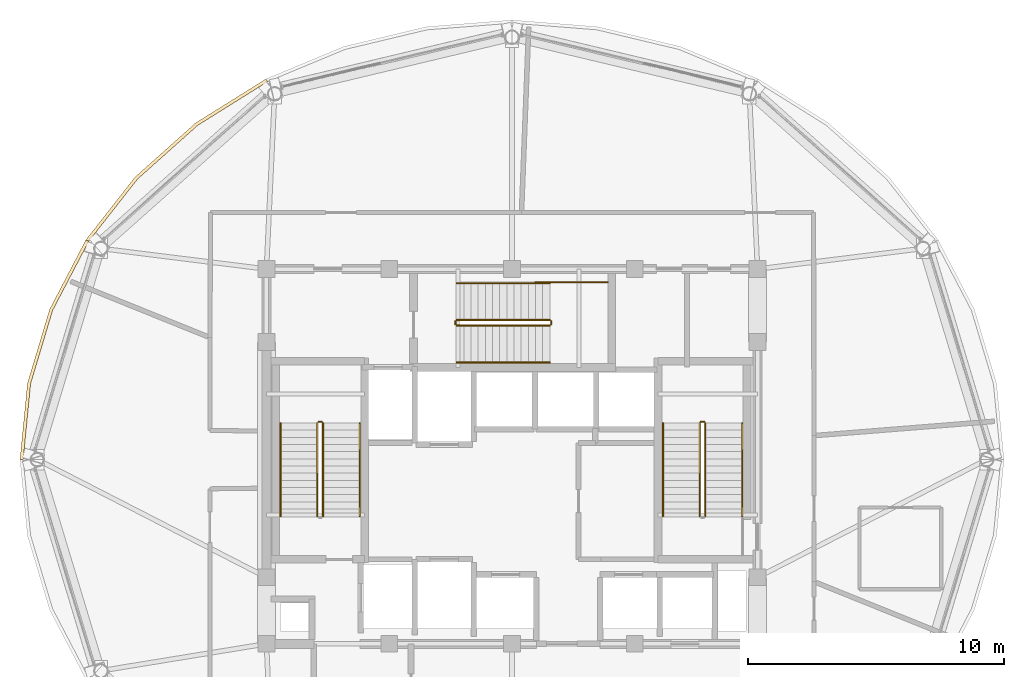
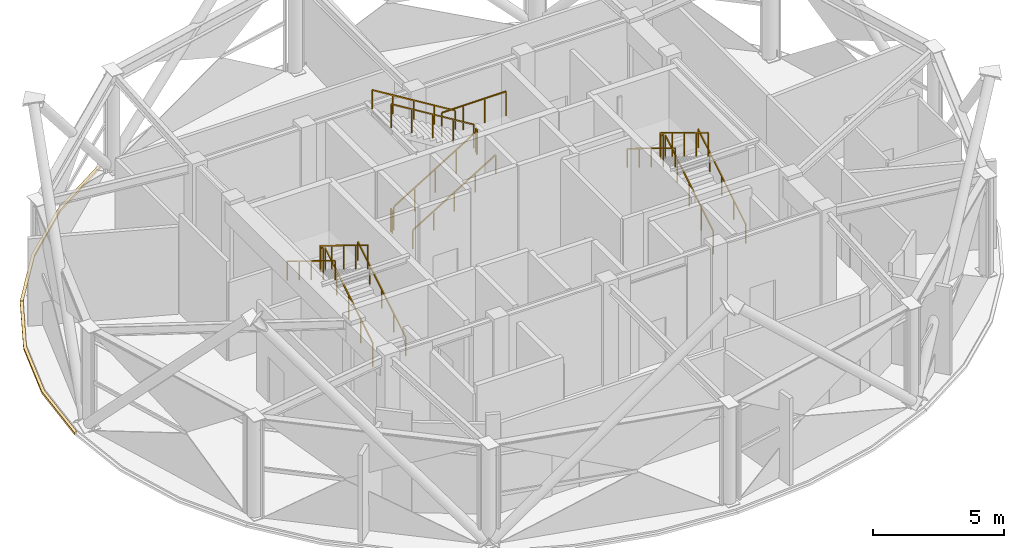
# One storey, part 26 of 27: 17 railings, 2 coverings.
"""IFC4 building model written with IfcOpenShell, lengths in metres."""

from ifc_helpers import new_model, si_unit, direction, frame, origin, origin_2d, place, context, subcontext, project, spatial, polyline, rectangle, outline, extrude, material, layer, layer_set, type_object, element, save


model = new_model("IFC4")

# Units and contexts
model_context = context("Model", 3, precision=1e-05, world=origin(), true_north=direction((0.0, 1.0)))
body_context = subcontext(model_context, "Body", "Model", "MODEL_VIEW")
ifc_project = project(units=[si_unit("LENGTHUNIT", "METRE"), si_unit("AREAUNIT", "SQUARE_METRE"), si_unit("VOLUMEUNIT", "CUBIC_METRE"), si_unit("PLANEANGLEUNIT", "RADIAN"), si_unit("MASSUNIT", "GRAM", prefix="KILO")], contexts=[model_context])

# Site, building, storey
site_placement = place(None, origin())
site = spatial("IfcSite", under=ifc_project, at=site_placement, CompositionType="ELEMENT")
building_placement = place(site_placement, origin())
building = spatial("IfcBuilding", under=site, at=building_placement, Name="Vantalir Tower", CompositionType="ELEMENT")
storey_placement = place(building_placement, frame((0.0, 0.0, 290.10009765625)))
storey = spatial("IfcBuildingStorey", under=building, at=storey_placement, Name="L73", CompositionType="ELEMENT", Elevation=290.10009765625)

# Coverings
ifc_material_1 = material(Name="Anodised champagne aluminium sill fascia", Category="aluminium")
ifc_layer = layer(ifc_material_1, 0.125)
ifc_layer_set = layer_set([ifc_layer], Name="Anodised champagne aluminium sill fascia")
covering_type = type_object("IfcCoveringType", Name="COV-SLAB-FASCIA-125", PredefinedType="CLADDING", material=ifc_layer_set)
covering_1_placement = place(storey_placement, frame((0.0, 0.0, -0.18017578125)))
element("IfcCovering", 1, at=covering_1_placement, inside=storey, type_object=covering_type, Name="L73 Perimeter Slab-Edge Sill Fascia 05", PredefinedType="CLADDING", context=body_context, shape_type="SweptSolid", body=[
    extrude(outline(polyline([(21.883056640625, 39.884033203125), (19.135986328125, 38.166015625), (16.764892578125, 36.048095703125), (14.842041015625, 33.593017578125), (14.949951171875, 33.531005859375), (16.861083984375, 35.967041015625), (19.216064453125, 38.070068359375), (21.945068359375, 39.77587890625), (21.883056640625, 39.884033203125)])), origin(), (0.0, 0.0, 1.0), 0.10498046875),
])
covering_2_placement = place(storey_placement, frame((0.0, 0.0, -0.18017578125)))
element("IfcCovering", 2, at=covering_2_placement, inside=storey, type_object=covering_type, Name="L73 Perimeter Slab-Edge Sill Fascia 06", PredefinedType="CLADDING", context=body_context, shape_type="SweptSolid", body=[
    extrude(outline(polyline([(14.842041015625, 33.593017578125), (13.425048828125, 30.8779296875), (12.556884765625, 27.98388671875), (12.264892578125, 25.0), (12.389892578125, 25.0), (12.679931640625, 27.962890625), (13.5419921875, 30.8359375), (14.949951171875, 33.531005859375), (14.842041015625, 33.593017578125)])), origin(), (0.0, 0.0, 1.0), 0.10498046875),
])

# Railings
ifc_material_2 = material(Name="Anodised aluminium and stainless steel guard", Category="steel")
railing_type_1 = type_object("IfcRailingType", Name="RAL-GUARD-1120", PredefinedType="GUARDRAIL", material=ifc_material_2)
railing_1_placement = place(storey_placement, frame((24.110107421875, 22.7900390625, 0.17138671875)))
element("IfcRailing", 3, at=railing_1_placement, inside=storey, type_object=railing_type_1, Name="L73 ST1 stair guard 1", PredefinedType="GUARDRAIL", context=body_context, shape_type="SweptSolid", body=[
    extrude(rectangle(XDim=0.048095703125, YDim=0.048095703125, at=origin_2d()), frame((0.0, 0.0, 1.09619140625), z_axis=(0.0, 0.852850264322, 0.5221555579), x_axis=(-1.0, 0.0, 0.0)), (0.0, 0.0, 1.0), 4.267822265625),
    extrude(rectangle(XDim=0.0419921875, YDim=0.0419921875, at=origin_2d()), origin(), (0.0, 0.0, 1.0), 1.072021484375),
    extrude(rectangle(XDim=0.0419921875, YDim=0.0419921875, at=origin_2d()), frame((0.0, 0.909912109375, 0.55712890625)), (0.0, 0.0, 1.0), 1.072021484375),
    extrude(rectangle(XDim=0.0419921875, YDim=0.0419921875, at=origin_2d()), frame((0.0, 1.81982421875, 1.1142578125)), (0.0, 0.0, 1.0), 1.072021484375),
    extrude(rectangle(XDim=0.0419921875, YDim=0.0419921875, at=origin_2d()), frame((0.0, 2.72998046875, 1.67138671875)), (0.0, 0.0, 1.0), 1.072021484375),
    extrude(rectangle(XDim=0.0419921875, YDim=0.0419921875, at=origin_2d()), frame((0.0, 3.639892578125, 2.228515625)), (0.0, 0.0, 1.0), 1.072021484375),
])
railing_2_placement = place(storey_placement, frame((24.06005859375, 26.47998046875, 2.39990234375)))
element("IfcRailing", 4, at=railing_2_placement, inside=storey, type_object=railing_type_1, Name="L73 ST1 stair guard 2", PredefinedType="GUARDRAIL", context=body_context, shape_type="SweptSolid", body=[
    extrude(rectangle(XDim=0.048095703125, YDim=0.048095703125, at=origin_2d()), frame((0.0, 0.0, 1.09619140625), z_axis=(-1.0, 0.0, 0.0), x_axis=(0.0, -1.0, 0.0)), (0.0, 0.0, 1.0), 0.1201171875),
    extrude(rectangle(XDim=0.0419921875, YDim=0.0419921875, at=origin_2d()), origin(), (0.0, 0.0, 1.0), 1.072021484375),
    extrude(rectangle(XDim=0.0419921875, YDim=0.0419921875, at=origin_2d()), frame((-0.1201171875, 0.0, 0.0)), (0.0, 0.0, 1.0), 1.072021484375),
])
railing_3_placement = place(storey_placement, frame((23.889892578125, 26.429931640625, 2.5712890625)))
element("IfcRailing", 5, at=railing_3_placement, inside=storey, type_object=railing_type_1, Name="L73 ST1 stair guard 3", PredefinedType="GUARDRAIL", context=body_context, shape_type="SweptSolid", body=[
    extrude(rectangle(XDim=0.048095703125, YDim=0.048095703125, at=origin_2d()), frame((0.0, 0.0, 1.09619140625), z_axis=(0.0, -0.852850264322, 0.5221555579), x_axis=(1.0, 0.0, 0.0)), (0.0, 0.0, 1.0), 4.267822265625),
    extrude(rectangle(XDim=0.0419921875, YDim=0.0419921875, at=origin_2d()), origin(), (0.0, 0.0, 1.0), 1.072021484375),
    extrude(rectangle(XDim=0.0419921875, YDim=0.0419921875, at=origin_2d()), frame((0.0, -0.909912109375, 0.55712890625)), (0.0, 0.0, 1.0), 1.072021484375),
    extrude(rectangle(XDim=0.0419921875, YDim=0.0419921875, at=origin_2d()), frame((0.0, -1.81982421875, 1.1142578125)), (0.0, 0.0, 1.0), 1.072021484375),
    extrude(rectangle(XDim=0.0419921875, YDim=0.0419921875, at=origin_2d()), frame((0.0, -2.72998046875, 1.67138671875)), (0.0, 0.0, 1.0), 1.072021484375),
    extrude(rectangle(XDim=0.0419921875, YDim=0.0419921875, at=origin_2d()), frame((0.0, -3.639892578125, 2.228515625)), (0.0, 0.0, 1.0), 1.072021484375),
])
railing_4_placement = place(storey_placement, frame((39.06005859375, 22.7900390625, 0.17138671875)))
element("IfcRailing", 6, at=railing_4_placement, inside=storey, type_object=railing_type_1, Name="L73 ST2 stair guard 1", PredefinedType="GUARDRAIL", context=body_context, shape_type="SweptSolid", body=[
    extrude(rectangle(XDim=0.048095703125, YDim=0.048095703125, at=origin_2d()), frame((0.0, 0.0, 1.09619140625), z_axis=(0.0, 0.852850264322, 0.5221555579), x_axis=(-1.0, 0.0, 0.0)), (0.0, 0.0, 1.0), 4.267822265625),
    extrude(rectangle(XDim=0.0419921875, YDim=0.0419921875, at=origin_2d()), origin(), (0.0, 0.0, 1.0), 1.072021484375),
    extrude(rectangle(XDim=0.0419921875, YDim=0.0419921875, at=origin_2d()), frame((0.0, 0.909912109375, 0.55712890625)), (0.0, 0.0, 1.0), 1.072021484375),
    extrude(rectangle(XDim=0.0419921875, YDim=0.0419921875, at=origin_2d()), frame((0.0, 1.81982421875, 1.1142578125)), (0.0, 0.0, 1.0), 1.072021484375),
    extrude(rectangle(XDim=0.0419921875, YDim=0.0419921875, at=origin_2d()), frame((0.0, 2.72998046875, 1.67138671875)), (0.0, 0.0, 1.0), 1.072021484375),
    extrude(rectangle(XDim=0.0419921875, YDim=0.0419921875, at=origin_2d()), frame((0.0, 3.639892578125, 2.228515625)), (0.0, 0.0, 1.0), 1.072021484375),
])
railing_5_placement = place(storey_placement, frame((39.010009765625, 26.47998046875, 2.39990234375)))
element("IfcRailing", 7, at=railing_5_placement, inside=storey, type_object=railing_type_1, Name="L73 ST2 stair guard 2", PredefinedType="GUARDRAIL", context=body_context, shape_type="SweptSolid", body=[
    extrude(rectangle(XDim=0.048095703125, YDim=0.048095703125, at=origin_2d()), frame((0.0, 0.0, 1.09619140625), z_axis=(-1.0, 0.0, 0.0), x_axis=(0.0, -1.0, 0.0)), (0.0, 0.0, 1.0), 0.1201171875),
    extrude(rectangle(XDim=0.0419921875, YDim=0.0419921875, at=origin_2d()), origin(), (0.0, 0.0, 1.0), 1.072021484375),
    extrude(rectangle(XDim=0.0419921875, YDim=0.0419921875, at=origin_2d()), frame((-0.1201171875, 0.0, 0.0)), (0.0, 0.0, 1.0), 1.072021484375),
])
railing_6_placement = place(storey_placement, frame((38.840087890625, 26.429931640625, 2.5712890625)))
element("IfcRailing", 8, at=railing_6_placement, inside=storey, type_object=railing_type_1, Name="L73 ST2 stair guard 3", PredefinedType="GUARDRAIL", context=body_context, shape_type="SweptSolid", body=[
    extrude(rectangle(XDim=0.048095703125, YDim=0.048095703125, at=origin_2d()), frame((0.0, 0.0, 1.09619140625), z_axis=(0.0, -0.852850264322, 0.5221555579), x_axis=(1.0, 0.0, 0.0)), (0.0, 0.0, 1.0), 4.267822265625),
    extrude(rectangle(XDim=0.0419921875, YDim=0.0419921875, at=origin_2d()), origin(), (0.0, 0.0, 1.0), 1.072021484375),
    extrude(rectangle(XDim=0.0419921875, YDim=0.0419921875, at=origin_2d()), frame((0.0, -0.909912109375, 0.55712890625)), (0.0, 0.0, 1.0), 1.072021484375),
    extrude(rectangle(XDim=0.0419921875, YDim=0.0419921875, at=origin_2d()), frame((0.0, -1.81982421875, 1.1142578125)), (0.0, 0.0, 1.0), 1.072021484375),
    extrude(rectangle(XDim=0.0419921875, YDim=0.0419921875, at=origin_2d()), frame((0.0, -2.72998046875, 1.67138671875)), (0.0, 0.0, 1.0), 1.072021484375),
    extrude(rectangle(XDim=0.0419921875, YDim=0.0419921875, at=origin_2d()), frame((0.0, -3.639892578125, 2.228515625)), (0.0, 0.0, 1.0), 1.072021484375),
])
railing_7_placement = place(storey_placement, frame((29.340087890625, 30.239990234375, 0.17138671875)))
element("IfcRailing", 9, at=railing_7_placement, inside=storey, type_object=railing_type_1, Name="L73 ST3 stair guard 1", PredefinedType="GUARDRAIL", context=body_context, shape_type="SweptSolid", body=[
    extrude(rectangle(XDim=0.048095703125, YDim=0.048095703125, at=origin_2d()), frame((0.0, 0.0, 1.09619140625), z_axis=(0.852850264322, 0.0, 0.5221555579), x_axis=(0.0, 1.0, 0.0)), (0.0, 0.0, 1.0), 4.267822265625),
    extrude(rectangle(XDim=0.0419921875, YDim=0.0419921875, at=origin_2d()), origin(), (0.0, 0.0, 1.0), 1.072021484375),
    extrude(rectangle(XDim=0.0419921875, YDim=0.0419921875, at=origin_2d()), frame((0.909912109375, 0.0, 0.55712890625)), (0.0, 0.0, 1.0), 1.072021484375),
    extrude(rectangle(XDim=0.0419921875, YDim=0.0419921875, at=origin_2d()), frame((1.81982421875, 0.0, 1.1142578125)), (0.0, 0.0, 1.0), 1.072021484375),
    extrude(rectangle(XDim=0.0419921875, YDim=0.0419921875, at=origin_2d()), frame((2.72998046875, 0.0, 1.67138671875)), (0.0, 0.0, 1.0), 1.072021484375),
    extrude(rectangle(XDim=0.0419921875, YDim=0.0419921875, at=origin_2d()), frame((3.639892578125, 0.0, 2.228515625)), (0.0, 0.0, 1.0), 1.072021484375),
])
railing_8_placement = place(storey_placement, frame((33.030029296875, 30.2900390625, 2.39990234375)))
element("IfcRailing", 10, at=railing_8_placement, inside=storey, type_object=railing_type_1, Name="L73 ST3 stair guard 2", PredefinedType="GUARDRAIL", context=body_context, shape_type="SweptSolid", body=[
    extrude(rectangle(XDim=0.048095703125, YDim=0.048095703125, at=origin_2d()), frame((0.0, 0.0, 1.09619140625), z_axis=(0.0, 1.0, 0.0), x_axis=(-1.0, 0.0, 0.0)), (0.0, 0.0, 1.0), 0.119873046875),
    extrude(rectangle(XDim=0.0419921875, YDim=0.0419921875, at=origin_2d()), origin(), (0.0, 0.0, 1.0), 1.072021484375),
    extrude(rectangle(XDim=0.0419921875, YDim=0.0419921875, at=origin_2d()), frame((0.0, 0.119873046875, 0.0)), (0.0, 0.0, 1.0), 1.072021484375),
])
railing_9_placement = place(storey_placement, frame((32.97998046875, 30.4599609375, 2.5712890625)))
element("IfcRailing", 11, at=railing_9_placement, inside=storey, type_object=railing_type_1, Name="L73 ST3 stair guard 3", PredefinedType="GUARDRAIL", context=body_context, shape_type="SweptSolid", body=[
    extrude(rectangle(XDim=0.048095703125, YDim=0.048095703125, at=origin_2d()), frame((0.0, 0.0, 1.09619140625), z_axis=(-0.852850264322, 0.0, 0.5221555579), x_axis=(0.0, -1.0, 0.0)), (0.0, 0.0, 1.0), 4.267822265625),
    extrude(rectangle(XDim=0.0419921875, YDim=0.0419921875, at=origin_2d()), origin(), (0.0, 0.0, 1.0), 1.072021484375),
    extrude(rectangle(XDim=0.0419921875, YDim=0.0419921875, at=origin_2d()), frame((-0.909912109375, 0.0, 0.55712890625)), (0.0, 0.0, 1.0), 1.072021484375),
    extrude(rectangle(XDim=0.0419921875, YDim=0.0419921875, at=origin_2d()), frame((-1.81982421875, 0.0, 1.1142578125)), (0.0, 0.0, 1.0), 1.072021484375),
    extrude(rectangle(XDim=0.0419921875, YDim=0.0419921875, at=origin_2d()), frame((-2.72998046875, 0.0, 1.67138671875)), (0.0, 0.0, 1.0), 1.072021484375),
    extrude(rectangle(XDim=0.0419921875, YDim=0.0419921875, at=origin_2d()), frame((-3.639892578125, 0.0, 2.228515625)), (0.0, 0.0, 1.0), 1.072021484375),
])
railing_10_placement = place(storey_placement, frame((29.2900390625, 30.2900390625, 0.0)))
element("IfcRailing", 12, at=railing_10_placement, inside=storey, type_object=railing_type_1, Name="L73 ST3 stair guard 4", PredefinedType="GUARDRAIL", context=body_context, shape_type="SweptSolid", body=[
    extrude(rectangle(XDim=0.048095703125, YDim=0.048095703125, at=origin_2d()), frame((0.0, 0.0, 1.09619140625), z_axis=(0.0, 1.0, 0.0), x_axis=(-1.0, 0.0, 0.0)), (0.0, 0.0, 1.0), 0.119873046875),
    extrude(rectangle(XDim=0.0419921875, YDim=0.0419921875, at=origin_2d()), origin(), (0.0, 0.0, 1.0), 1.072021484375),
    extrude(rectangle(XDim=0.0419921875, YDim=0.0419921875, at=origin_2d()), frame((0.0, 0.119873046875, 0.0)), (0.0, 0.0, 1.0), 1.072021484375),
])
railing_11_placement = place(storey_placement, frame((32.419921875, 31.929931640625, 2.39990234375)))
element("IfcRailing", 13, at=railing_11_placement, inside=storey, type_object=railing_type_1, Name="L73 Stair ST3 Half-Landing Slot Guard", PredefinedType="GUARDRAIL", context=body_context, shape_type="SweptSolid", body=[
    extrude(rectangle(XDim=0.048095703125, YDim=0.048095703125, at=origin_2d()), frame((0.0, 0.0, 1.1259765625), z_axis=(1.0, 0.0, 0.0), x_axis=(0.0, 1.0, 0.0)), (0.0, 0.0, 1.0), 2.820068359375),
    extrude(rectangle(XDim=0.0419921875, YDim=0.0419921875, at=origin_2d()), origin(), (0.0, 0.0, 1.0), 1.101806640625),
    extrude(rectangle(XDim=0.0419921875, YDim=0.0419921875, at=origin_2d()), frame((0.93994140625, 0.0, 0.0)), (0.0, 0.0, 1.0), 1.101806640625),
    extrude(rectangle(XDim=0.0419921875, YDim=0.0419921875, at=origin_2d()), frame((1.880126953125, 0.0, 0.0)), (0.0, 0.0, 1.0), 1.101806640625),
    extrude(rectangle(XDim=0.0419921875, YDim=0.0419921875, at=origin_2d()), frame((2.820068359375, 0.0, 0.0)), (0.0, 0.0, 1.0), 1.101806640625),
])
ifc_material_3 = material(Name="Brushed stainless steel tubular handrail", Category="steel")
railing_type_2 = type_object("IfcRailingType", Name="RAL-HANDRAIL-900", PredefinedType="HANDRAIL", material=ifc_material_3)
railing_12_placement = place(storey_placement, frame((25.550048828125, 22.7900390625, 0.17138671875)))
element("IfcRailing", 14, at=railing_12_placement, inside=storey, type_object=railing_type_2, Name="L73 ST1 stair handrail 1", PredefinedType="HANDRAIL", context=body_context, shape_type="SweptSolid", body=[
    extrude(rectangle(XDim=0.048095703125, YDim=0.048095703125, at=origin_2d()), frame((0.0, 0.0, 0.8759765625), z_axis=(0.0, 0.852850264322, 0.5221555579), x_axis=(-1.0, 0.0, 0.0)), (0.0, 0.0, 1.0), 4.267822265625),
    extrude(rectangle(XDim=0.0419921875, YDim=0.0419921875, at=origin_2d()), origin(), (0.0, 0.0, 1.0), 0.851806640625),
    extrude(rectangle(XDim=0.0419921875, YDim=0.0419921875, at=origin_2d()), frame((0.0, 0.909912109375, 0.55712890625)), (0.0, 0.0, 1.0), 0.851806640625),
    extrude(rectangle(XDim=0.0419921875, YDim=0.0419921875, at=origin_2d()), frame((0.0, 1.81982421875, 1.1142578125)), (0.0, 0.0, 1.0), 0.851806640625),
    extrude(rectangle(XDim=0.0419921875, YDim=0.0419921875, at=origin_2d()), frame((0.0, 2.72998046875, 1.67138671875)), (0.0, 0.0, 1.0), 0.851806640625),
    extrude(rectangle(XDim=0.0419921875, YDim=0.0419921875, at=origin_2d()), frame((0.0, 3.639892578125, 2.228515625)), (0.0, 0.0, 1.0), 0.851806640625),
])
railing_13_placement = place(storey_placement, frame((22.449951171875, 26.429931640625, 2.5712890625)))
element("IfcRailing", 15, at=railing_13_placement, inside=storey, type_object=railing_type_2, Name="L73 ST1 stair handrail 2", PredefinedType="HANDRAIL", context=body_context, shape_type="SweptSolid", body=[
    extrude(rectangle(XDim=0.048095703125, YDim=0.048095703125, at=origin_2d()), frame((0.0, 0.0, 0.8759765625), z_axis=(0.0, -0.852850264322, 0.5221555579), x_axis=(1.0, 0.0, 0.0)), (0.0, 0.0, 1.0), 4.267822265625),
    extrude(rectangle(XDim=0.0419921875, YDim=0.0419921875, at=origin_2d()), origin(), (0.0, 0.0, 1.0), 0.851806640625),
    extrude(rectangle(XDim=0.0419921875, YDim=0.0419921875, at=origin_2d()), frame((0.0, -0.909912109375, 0.55712890625)), (0.0, 0.0, 1.0), 0.851806640625),
    extrude(rectangle(XDim=0.0419921875, YDim=0.0419921875, at=origin_2d()), frame((0.0, -1.81982421875, 1.1142578125)), (0.0, 0.0, 1.0), 0.851806640625),
    extrude(rectangle(XDim=0.0419921875, YDim=0.0419921875, at=origin_2d()), frame((0.0, -2.72998046875, 1.67138671875)), (0.0, 0.0, 1.0), 0.851806640625),
    extrude(rectangle(XDim=0.0419921875, YDim=0.0419921875, at=origin_2d()), frame((0.0, -3.639892578125, 2.228515625)), (0.0, 0.0, 1.0), 0.851806640625),
])
railing_14_placement = place(storey_placement, frame((40.5, 22.7900390625, 0.17138671875)))
element("IfcRailing", 16, at=railing_14_placement, inside=storey, type_object=railing_type_2, Name="L73 ST2 stair handrail 1", PredefinedType="HANDRAIL", context=body_context, shape_type="SweptSolid", body=[
    extrude(rectangle(XDim=0.048095703125, YDim=0.048095703125, at=origin_2d()), frame((0.0, 0.0, 0.8759765625), z_axis=(0.0, 0.852850264322, 0.5221555579), x_axis=(-1.0, 0.0, 0.0)), (0.0, 0.0, 1.0), 4.267822265625),
    extrude(rectangle(XDim=0.0419921875, YDim=0.0419921875, at=origin_2d()), origin(), (0.0, 0.0, 1.0), 0.851806640625),
    extrude(rectangle(XDim=0.0419921875, YDim=0.0419921875, at=origin_2d()), frame((0.0, 0.909912109375, 0.55712890625)), (0.0, 0.0, 1.0), 0.851806640625),
    extrude(rectangle(XDim=0.0419921875, YDim=0.0419921875, at=origin_2d()), frame((0.0, 1.81982421875, 1.1142578125)), (0.0, 0.0, 1.0), 0.851806640625),
    extrude(rectangle(XDim=0.0419921875, YDim=0.0419921875, at=origin_2d()), frame((0.0, 2.72998046875, 1.67138671875)), (0.0, 0.0, 1.0), 0.851806640625),
    extrude(rectangle(XDim=0.0419921875, YDim=0.0419921875, at=origin_2d()), frame((0.0, 3.639892578125, 2.228515625)), (0.0, 0.0, 1.0), 0.851806640625),
])
railing_15_placement = place(storey_placement, frame((37.39990234375, 26.429931640625, 2.5712890625)))
element("IfcRailing", 17, at=railing_15_placement, inside=storey, type_object=railing_type_2, Name="L73 ST2 stair handrail 2", PredefinedType="HANDRAIL", context=body_context, shape_type="SweptSolid", body=[
    extrude(rectangle(XDim=0.048095703125, YDim=0.048095703125, at=origin_2d()), frame((0.0, 0.0, 0.8759765625), z_axis=(0.0, -0.852850264322, 0.5221555579), x_axis=(1.0, 0.0, 0.0)), (0.0, 0.0, 1.0), 4.267822265625),
    extrude(rectangle(XDim=0.0419921875, YDim=0.0419921875, at=origin_2d()), origin(), (0.0, 0.0, 1.0), 0.851806640625),
    extrude(rectangle(XDim=0.0419921875, YDim=0.0419921875, at=origin_2d()), frame((0.0, -0.909912109375, 0.55712890625)), (0.0, 0.0, 1.0), 0.851806640625),
    extrude(rectangle(XDim=0.0419921875, YDim=0.0419921875, at=origin_2d()), frame((0.0, -1.81982421875, 1.1142578125)), (0.0, 0.0, 1.0), 0.851806640625),
    extrude(rectangle(XDim=0.0419921875, YDim=0.0419921875, at=origin_2d()), frame((0.0, -2.72998046875, 1.67138671875)), (0.0, 0.0, 1.0), 0.851806640625),
    extrude(rectangle(XDim=0.0419921875, YDim=0.0419921875, at=origin_2d()), frame((0.0, -3.639892578125, 2.228515625)), (0.0, 0.0, 1.0), 0.851806640625),
])
railing_16_placement = place(storey_placement, frame((29.340087890625, 28.800048828125, 0.17138671875)))
element("IfcRailing", 18, at=railing_16_placement, inside=storey, type_object=railing_type_2, Name="L73 ST3 stair handrail 1", PredefinedType="HANDRAIL", context=body_context, shape_type="SweptSolid", body=[
    extrude(rectangle(XDim=0.048095703125, YDim=0.048095703125, at=origin_2d()), frame((0.0, 0.0, 0.8759765625), z_axis=(0.852850264322, 0.0, 0.5221555579), x_axis=(0.0, 1.0, 0.0)), (0.0, 0.0, 1.0), 4.267822265625),
    extrude(rectangle(XDim=0.0419921875, YDim=0.0419921875, at=origin_2d()), origin(), (0.0, 0.0, 1.0), 0.851806640625),
    extrude(rectangle(XDim=0.0419921875, YDim=0.0419921875, at=origin_2d()), frame((0.909912109375, 0.0, 0.55712890625)), (0.0, 0.0, 1.0), 0.851806640625),
    extrude(rectangle(XDim=0.0419921875, YDim=0.0419921875, at=origin_2d()), frame((1.81982421875, 0.0, 1.1142578125)), (0.0, 0.0, 1.0), 0.851806640625),
    extrude(rectangle(XDim=0.0419921875, YDim=0.0419921875, at=origin_2d()), frame((2.72998046875, 0.0, 1.67138671875)), (0.0, 0.0, 1.0), 0.851806640625),
    extrude(rectangle(XDim=0.0419921875, YDim=0.0419921875, at=origin_2d()), frame((3.639892578125, 0.0, 2.228515625)), (0.0, 0.0, 1.0), 0.851806640625),
])
railing_17_placement = place(storey_placement, frame((32.97998046875, 31.89990234375, 2.5712890625)))
element("IfcRailing", 19, at=railing_17_placement, inside=storey, type_object=railing_type_2, Name="L73 ST3 stair handrail 2", PredefinedType="HANDRAIL", context=body_context, shape_type="SweptSolid", body=[
    extrude(rectangle(XDim=0.048095703125, YDim=0.048095703125, at=origin_2d()), frame((0.0, 0.0, 0.8759765625), z_axis=(-0.852850264322, 0.0, 0.5221555579), x_axis=(0.0, -1.0, 0.0)), (0.0, 0.0, 1.0), 4.267822265625),
    extrude(rectangle(XDim=0.0419921875, YDim=0.0419921875, at=origin_2d()), origin(), (0.0, 0.0, 1.0), 0.851806640625),
    extrude(rectangle(XDim=0.0419921875, YDim=0.0419921875, at=origin_2d()), frame((-0.909912109375, 0.0, 0.55712890625)), (0.0, 0.0, 1.0), 0.851806640625),
    extrude(rectangle(XDim=0.0419921875, YDim=0.0419921875, at=origin_2d()), frame((-1.81982421875, 0.0, 1.1142578125)), (0.0, 0.0, 1.0), 0.851806640625),
    extrude(rectangle(XDim=0.0419921875, YDim=0.0419921875, at=origin_2d()), frame((-2.72998046875, 0.0, 1.67138671875)), (0.0, 0.0, 1.0), 0.851806640625),
    extrude(rectangle(XDim=0.0419921875, YDim=0.0419921875, at=origin_2d()), frame((-3.639892578125, 0.0, 2.228515625)), (0.0, 0.0, 1.0), 0.851806640625),
])

save(model, "model.ifc")
